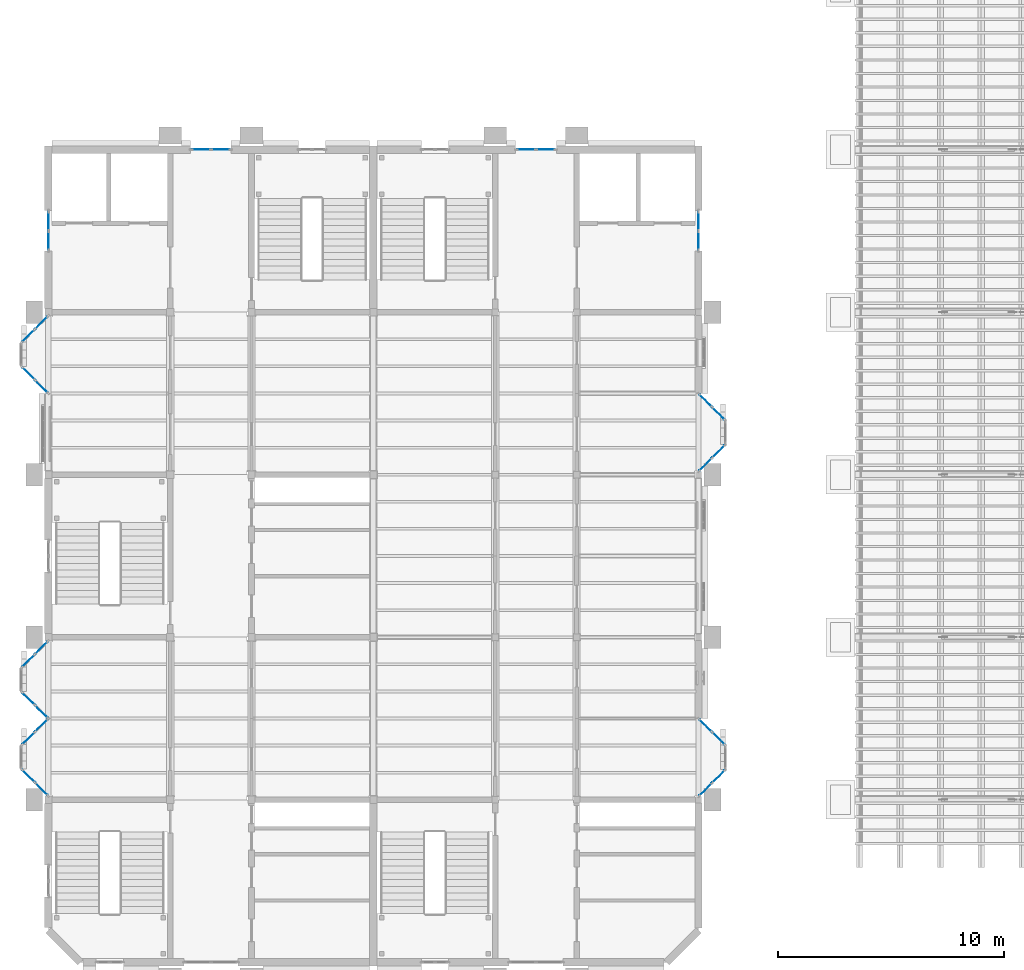
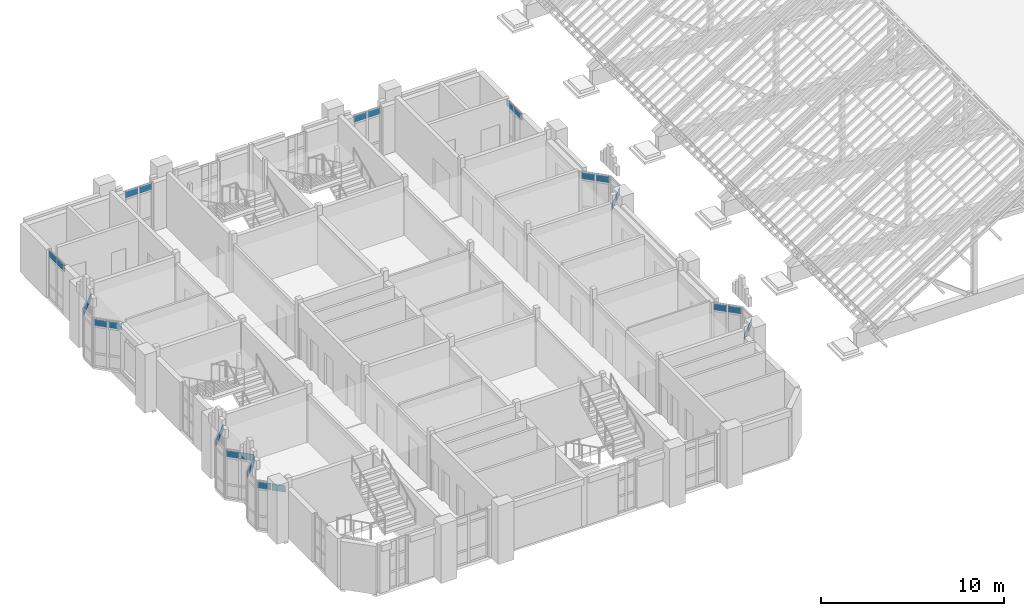
# One storey, part 38 of 71: 28 plates, 14 elements without a shape of their own.
"""IFC4 building model written with IfcOpenShell, lengths in metres."""

from ifc_helpers import new_model, si_unit, direction, frame, origin, origin_2d, place, context, subcontext, project, spatial, rectangle, extrude, material, layer, layer_set, type_object, element, aggregate, save


model = new_model("IFC4")

# Units and contexts
model_context = context("Model", 3, precision=1e-05, world=origin(), true_north=direction((0.0, 1.0)))
body_context = subcontext(model_context, "Body", "Model", "MODEL_VIEW")
ifc_project = project(units=[si_unit("LENGTHUNIT", "METRE"), si_unit("AREAUNIT", "SQUARE_METRE"), si_unit("VOLUMEUNIT", "CUBIC_METRE"), si_unit("PLANEANGLEUNIT", "RADIAN"), si_unit("MASSUNIT", "GRAM", prefix="KILO")], contexts=[model_context])

# Site, building, storey
site_placement = place(None, origin())
site = spatial("IfcSite", under=ifc_project, at=site_placement, CompositionType="ELEMENT")
building_placement = place(site_placement, origin())
building = spatial("IfcBuilding", under=site, at=building_placement, Name="Mazhai Court Health Centre", CompositionType="ELEMENT")
storey_placement = place(building_placement, frame((0.0, 0.0, 10.199951171875)))
storey = spatial("IfcBuildingStorey", under=building, at=storey_placement, Name="L02", CompositionType="ELEMENT", Elevation=10.199951171875)

# Curtain wall, plates
ifc_material_1 = material(Name="Teak timber frame, glazed", Category="wood")
ifc_layer_1 = layer(ifc_material_1, 0.10009765625)
ifc_layer_set_1 = layer_set([ifc_layer_1], Name="CURTAIN WALL TIMBER 900")
curtain_wall_type = type_object("IfcCurtainWallType", Name="CURTAIN WALL TIMBER 900", PredefinedType="NOTDEFINED", material=ifc_layer_set_1)
curtain_wall_1_placement = place(storey_placement, origin())
curtain_wall_1 = element("IfcCurtainWall", 1, at=curtain_wall_1_placement, inside=storey, type_object=curtain_wall_type, Name="CW-ORIEL-V2-L02-A10-0", PredefinedType="NOTDEFINED")
ifc_material_2 = material(Name="Glass IGU 28 mm", Category="glass")
ifc_layer_2 = layer(ifc_material_2, 0.028076171875)
ifc_layer_set_2 = layer_set([ifc_layer_2], Name="CW PANEL IGU 28")
plate_type = type_object("IfcPlateType", Name="CW PANEL IGU 28", PredefinedType="CURTAIN_PANEL", material=ifc_layer_set_2)
plate_1_placement = place(storey_placement, frame((5.889404296875, 13.87060546875, 2.72998046875), z_axis=(0.0, 0.0, 1.0), x_axis=(-0.707106781187, 0.707106781187, 0.0)))
plate_1 = element("IfcPlate", 2, at=plate_1_placement, type_object=plate_type, Name="CW panel 1.3", PredefinedType="CURTAIN_PANEL", context=body_context, shape_type="SweptSolid", body=[
    extrude(rectangle(XDim=0.758544921875, YDim=0.028076171875, at=origin_2d()), origin(), (0.0, 0.0, 1.0), 0.429931640625),
])
plate_2_placement = place(storey_placement, frame((5.310546875, 14.449462890625, 2.72998046875), z_axis=(0.0, 0.0, 1.0), x_axis=(-0.707106781187, 0.707106781187, 0.0)))
plate_2 = element("IfcPlate", 3, at=plate_2_placement, type_object=plate_type, Name="CW panel 2.3", PredefinedType="CURTAIN_PANEL", context=body_context, shape_type="SweptSolid", body=[
    extrude(rectangle(XDim=0.758544921875, YDim=0.028076171875, at=origin_2d()), origin(), (0.0, 0.0, 1.0), 0.429931640625),
])
aggregate(curtain_wall_1, [plate_1, plate_2])

curtain_wall_2_placement = place(storey_placement, origin())
curtain_wall_2 = element("IfcCurtainWall", 4, at=curtain_wall_2_placement, inside=storey, type_object=curtain_wall_type, Name="CW-ORIEL-V2-L02-A10-2", PredefinedType="NOTDEFINED")
plate_3_placement = place(storey_placement, frame((5.310546875, 16.110595703125, 2.72998046875), z_axis=(0.0, 0.0, 1.0), x_axis=(0.707106781187, 0.707106781187, 0.0)))
plate_3 = element("IfcPlate", 5, at=plate_3_placement, type_object=plate_type, Name="CW panel 1.3", PredefinedType="CURTAIN_PANEL", context=body_context, shape_type="SweptSolid", body=[
    extrude(rectangle(XDim=0.758544921875, YDim=0.028076171875, at=origin_2d()), origin(), (0.0, 0.0, 1.0), 0.429931640625),
])
plate_4_placement = place(storey_placement, frame((5.889404296875, 16.689453125, 2.72998046875), z_axis=(0.0, 0.0, 1.0), x_axis=(0.707106781187, 0.707106781187, 0.0)))
plate_4 = element("IfcPlate", 6, at=plate_4_placement, type_object=plate_type, Name="CW panel 2.3", PredefinedType="CURTAIN_PANEL", context=body_context, shape_type="SweptSolid", body=[
    extrude(rectangle(XDim=0.758544921875, YDim=0.028076171875, at=origin_2d()), origin(), (0.0, 0.0, 1.0), 0.429931640625),
])
aggregate(curtain_wall_2, [plate_3, plate_4])

curtain_wall_3_placement = place(storey_placement, origin())
curtain_wall_3 = element("IfcCurtainWall", 7, at=curtain_wall_3_placement, inside=storey, type_object=curtain_wall_type, Name="CW-ORIEL-V2-L02-A11-0", PredefinedType="NOTDEFINED")
plate_5_placement = place(storey_placement, frame((5.889404296875, 17.310546875, 2.72998046875), z_axis=(0.0, 0.0, 1.0), x_axis=(-0.707106781187, 0.707106781187, 0.0)))
plate_5 = element("IfcPlate", 8, at=plate_5_placement, type_object=plate_type, Name="CW panel 1.3", PredefinedType="CURTAIN_PANEL", context=body_context, shape_type="SweptSolid", body=[
    extrude(rectangle(XDim=0.758544921875, YDim=0.028076171875, at=origin_2d()), origin(), (0.0, 0.0, 1.0), 0.429931640625),
])
plate_6_placement = place(storey_placement, frame((5.310546875, 17.889404296875, 2.72998046875), z_axis=(0.0, 0.0, 1.0), x_axis=(-0.707106781187, 0.707106781187, 0.0)))
plate_6 = element("IfcPlate", 9, at=plate_6_placement, type_object=plate_type, Name="CW panel 2.3", PredefinedType="CURTAIN_PANEL", context=body_context, shape_type="SweptSolid", body=[
    extrude(rectangle(XDim=0.758544921875, YDim=0.028076171875, at=origin_2d()), origin(), (0.0, 0.0, 1.0), 0.429931640625),
])
aggregate(curtain_wall_3, [plate_5, plate_6])

curtain_wall_4_placement = place(storey_placement, origin())
curtain_wall_4 = element("IfcCurtainWall", 10, at=curtain_wall_4_placement, inside=storey, type_object=curtain_wall_type, Name="CW-ORIEL-V2-L02-A11-2", PredefinedType="NOTDEFINED")
plate_7_placement = place(storey_placement, frame((5.310546875, 19.550537109375, 2.72998046875), z_axis=(0.0, 0.0, 1.0), x_axis=(0.707106781187, 0.707106781187, 0.0)))
plate_7 = element("IfcPlate", 11, at=plate_7_placement, type_object=plate_type, Name="CW panel 1.3", PredefinedType="CURTAIN_PANEL", context=body_context, shape_type="SweptSolid", body=[
    extrude(rectangle(XDim=0.758544921875, YDim=0.028076171875, at=origin_2d()), origin(), (0.0, 0.0, 1.0), 0.429931640625),
])
plate_8_placement = place(storey_placement, frame((5.889404296875, 20.12939453125, 2.72998046875), z_axis=(0.0, 0.0, 1.0), x_axis=(0.707106781187, 0.707106781187, 0.0)))
plate_8 = element("IfcPlate", 12, at=plate_8_placement, type_object=plate_type, Name="CW panel 2.3", PredefinedType="CURTAIN_PANEL", context=body_context, shape_type="SweptSolid", body=[
    extrude(rectangle(XDim=0.758544921875, YDim=0.028076171875, at=origin_2d()), origin(), (0.0, 0.0, 1.0), 0.429931640625),
])
aggregate(curtain_wall_4, [plate_7, plate_8])

curtain_wall_5_placement = place(storey_placement, origin())
curtain_wall_5 = element("IfcCurtainWall", 13, at=curtain_wall_5_placement, inside=storey, type_object=curtain_wall_type, Name="CW-ORIEL-V2-L02-A31-0", PredefinedType="NOTDEFINED")
plate_9_placement = place(storey_placement, frame((5.889404296875, 31.710693359375, 2.72998046875), z_axis=(0.0, 0.0, 1.0), x_axis=(-0.707106781187, 0.707106781187, 0.0)))
plate_9 = element("IfcPlate", 14, at=plate_9_placement, type_object=plate_type, Name="CW panel 1.3", PredefinedType="CURTAIN_PANEL", context=body_context, shape_type="SweptSolid", body=[
    extrude(rectangle(XDim=0.758544921875, YDim=0.028076171875, at=origin_2d()), origin(), (0.0, 0.0, 1.0), 0.429931640625),
])
plate_10_placement = place(storey_placement, frame((5.310546875, 32.289306640625, 2.72998046875), z_axis=(0.0, 0.0, 1.0), x_axis=(-0.707106781187, 0.707106781187, 0.0)))
plate_10 = element("IfcPlate", 15, at=plate_10_placement, type_object=plate_type, Name="CW panel 2.3", PredefinedType="CURTAIN_PANEL", context=body_context, shape_type="SweptSolid", body=[
    extrude(rectangle(XDim=0.758544921875, YDim=0.028076171875, at=origin_2d()), origin(), (0.0, 0.0, 1.0), 0.429931640625),
])
aggregate(curtain_wall_5, [plate_9, plate_10])

curtain_wall_6_placement = place(storey_placement, origin())
curtain_wall_6 = element("IfcCurtainWall", 16, at=curtain_wall_6_placement, inside=storey, type_object=curtain_wall_type, Name="CW-ORIEL-V2-L02-A31-2", PredefinedType="NOTDEFINED")
plate_11_placement = place(storey_placement, frame((5.310546875, 33.95068359375, 2.72998046875), z_axis=(0.0, 0.0, 1.0), x_axis=(0.707106781187, 0.707106781187, 0.0)))
plate_11 = element("IfcPlate", 17, at=plate_11_placement, type_object=plate_type, Name="CW panel 1.3", PredefinedType="CURTAIN_PANEL", context=body_context, shape_type="SweptSolid", body=[
    extrude(rectangle(XDim=0.758544921875, YDim=0.028076171875, at=origin_2d()), origin(), (0.0, 0.0, 1.0), 0.429931640625),
])
plate_12_placement = place(storey_placement, frame((5.889404296875, 34.529296875, 2.72998046875), z_axis=(0.0, 0.0, 1.0), x_axis=(0.707106781187, 0.707106781187, 0.0)))
plate_12 = element("IfcPlate", 18, at=plate_12_placement, type_object=plate_type, Name="CW panel 2.3", PredefinedType="CURTAIN_PANEL", context=body_context, shape_type="SweptSolid", body=[
    extrude(rectangle(XDim=0.758544921875, YDim=0.028076171875, at=origin_2d()), origin(), (0.0, 0.0, 1.0), 0.429931640625),
])
aggregate(curtain_wall_6, [plate_11, plate_12])

curtain_wall_7_placement = place(storey_placement, origin())
curtain_wall_7 = element("IfcCurtainWall", 19, at=curtain_wall_7_placement, inside=storey, type_object=curtain_wall_type, Name="CW-V2-L02-A4", PredefinedType="NOTDEFINED")
plate_13_placement = place(storey_placement, frame((6.199951171875, 38.1650390625, 2.72998046875), z_axis=(0.0, 0.0, 1.0), x_axis=(0.0, 1.0, 0.0)))
plate_13 = element("IfcPlate", 20, at=plate_13_placement, type_object=plate_type, Name="CW panel 1.3", PredefinedType="CURTAIN_PANEL", context=body_context, shape_type="SweptSolid", body=[
    extrude(rectangle(XDim=0.81005859375, YDim=0.028076171875, at=origin_2d()), origin(), (0.0, 0.0, 1.0), 0.429931640625),
])
plate_14_placement = place(storey_placement, frame((6.199951171875, 39.034912109375, 2.72998046875), z_axis=(0.0, 0.0, 1.0), x_axis=(0.0, 1.0, 0.0)))
plate_14 = element("IfcPlate", 21, at=plate_14_placement, type_object=plate_type, Name="CW panel 2.3", PredefinedType="CURTAIN_PANEL", context=body_context, shape_type="SweptSolid", body=[
    extrude(rectangle(XDim=0.81005859375, YDim=0.028076171875, at=origin_2d()), origin(), (0.0, 0.0, 1.0), 0.429931640625),
])
aggregate(curtain_wall_7, [plate_13, plate_14])

curtain_wall_8_placement = place(storey_placement, origin())
curtain_wall_8 = element("IfcCurtainWall", 22, at=curtain_wall_8_placement, inside=storey, type_object=curtain_wall_type, Name="CW-V2-L02-ELIFT0", PredefinedType="NOTDEFINED")
plate_15_placement = place(storey_placement, frame((12.965087890625, 42.199951171875, 2.72998046875), z_axis=(0.0, 0.0, 1.0), x_axis=(1.0, 0.0, 0.0)))
plate_15 = element("IfcPlate", 23, at=plate_15_placement, type_object=plate_type, Name="CW panel 1.3", PredefinedType="CURTAIN_PANEL", context=body_context, shape_type="SweptSolid", body=[
    extrude(rectangle(XDim=0.81005859375, YDim=0.028076171875, at=origin_2d()), origin(), (0.0, 0.0, 1.0), 0.409912109375),
])
plate_16_placement = place(storey_placement, frame((13.8349609375, 42.199951171875, 2.72998046875), z_axis=(0.0, 0.0, 1.0), x_axis=(1.0, 0.0, 0.0)))
plate_16 = element("IfcPlate", 24, at=plate_16_placement, type_object=plate_type, Name="CW panel 2.3", PredefinedType="CURTAIN_PANEL", context=body_context, shape_type="SweptSolid", body=[
    extrude(rectangle(XDim=0.81005859375, YDim=0.028076171875, at=origin_2d()), origin(), (0.0, 0.0, 1.0), 0.409912109375),
])
aggregate(curtain_wall_8, [plate_15, plate_16])

curtain_wall_9_placement = place(storey_placement, origin())
curtain_wall_9 = element("IfcCurtainWall", 25, at=curtain_wall_9_placement, inside=storey, type_object=curtain_wall_type, Name="CW-ORIEL-V5-L02-B10-0", PredefinedType="NOTDEFINED")
plate_17_placement = place(storey_placement, frame((35.310546875, 13.8505859375, 2.72998046875), z_axis=(0.0, 0.0, 1.0), x_axis=(0.707106781187, 0.707106781187, 0.0)))
plate_17 = element("IfcPlate", 26, at=plate_17_placement, type_object=plate_type, Name="CW panel 1.3", PredefinedType="CURTAIN_PANEL", context=body_context, shape_type="SweptSolid", body=[
    extrude(rectangle(XDim=0.758544921875, YDim=0.028076171875, at=origin_2d()), origin(), (0.0, 0.0, 1.0), 0.429931640625),
])
plate_18_placement = place(storey_placement, frame((35.889404296875, 14.429443359375, 2.72998046875), z_axis=(0.0, 0.0, 1.0), x_axis=(0.707106781187, 0.707106781187, 0.0)))
plate_18 = element("IfcPlate", 27, at=plate_18_placement, type_object=plate_type, Name="CW panel 2.3", PredefinedType="CURTAIN_PANEL", context=body_context, shape_type="SweptSolid", body=[
    extrude(rectangle(XDim=0.758544921875, YDim=0.028076171875, at=origin_2d()), origin(), (0.0, 0.0, 1.0), 0.429931640625),
])
aggregate(curtain_wall_9, [plate_17, plate_18])

curtain_wall_10_placement = place(storey_placement, origin())
curtain_wall_10 = element("IfcCurtainWall", 28, at=curtain_wall_10_placement, inside=storey, type_object=curtain_wall_type, Name="CW-ORIEL-V5-L02-B10-2", PredefinedType="NOTDEFINED")
plate_19_placement = place(storey_placement, frame((35.889404296875, 16.110595703125, 2.72998046875), z_axis=(0.0, 0.0, 1.0), x_axis=(-0.707106781187, 0.707106781187, 0.0)))
plate_19 = element("IfcPlate", 29, at=plate_19_placement, type_object=plate_type, Name="CW panel 1.3", PredefinedType="CURTAIN_PANEL", context=body_context, shape_type="SweptSolid", body=[
    extrude(rectangle(XDim=0.758544921875, YDim=0.028076171875, at=origin_2d()), origin(), (0.0, 0.0, 1.0), 0.429931640625),
])
plate_20_placement = place(storey_placement, frame((35.310546875, 16.689453125, 2.72998046875), z_axis=(0.0, 0.0, 1.0), x_axis=(-0.707106781187, 0.707106781187, 0.0)))
plate_20 = element("IfcPlate", 30, at=plate_20_placement, type_object=plate_type, Name="CW panel 2.3", PredefinedType="CURTAIN_PANEL", context=body_context, shape_type="SweptSolid", body=[
    extrude(rectangle(XDim=0.758544921875, YDim=0.028076171875, at=origin_2d()), origin(), (0.0, 0.0, 1.0), 0.429931640625),
])
aggregate(curtain_wall_10, [plate_19, plate_20])

curtain_wall_11_placement = place(storey_placement, origin())
curtain_wall_11 = element("IfcCurtainWall", 31, at=curtain_wall_11_placement, inside=storey, type_object=curtain_wall_type, Name="CW-ORIEL-V5-L02-B30-0", PredefinedType="NOTDEFINED")
plate_21_placement = place(storey_placement, frame((35.310546875, 28.25048828125, 2.72998046875), z_axis=(0.0, 0.0, 1.0), x_axis=(0.707106781187, 0.707106781187, 0.0)))
plate_21 = element("IfcPlate", 32, at=plate_21_placement, type_object=plate_type, Name="CW panel 1.3", PredefinedType="CURTAIN_PANEL", context=body_context, shape_type="SweptSolid", body=[
    extrude(rectangle(XDim=0.758544921875, YDim=0.028076171875, at=origin_2d()), origin(), (0.0, 0.0, 1.0), 0.429931640625),
])
plate_22_placement = place(storey_placement, frame((35.889404296875, 28.829345703125, 2.72998046875), z_axis=(0.0, 0.0, 1.0), x_axis=(0.707106781187, 0.707106781187, 0.0)))
plate_22 = element("IfcPlate", 33, at=plate_22_placement, type_object=plate_type, Name="CW panel 2.3", PredefinedType="CURTAIN_PANEL", context=body_context, shape_type="SweptSolid", body=[
    extrude(rectangle(XDim=0.758544921875, YDim=0.028076171875, at=origin_2d()), origin(), (0.0, 0.0, 1.0), 0.429931640625),
])
aggregate(curtain_wall_11, [plate_21, plate_22])

curtain_wall_12_placement = place(storey_placement, origin())
curtain_wall_12 = element("IfcCurtainWall", 34, at=curtain_wall_12_placement, inside=storey, type_object=curtain_wall_type, Name="CW-ORIEL-V5-L02-B30-2", PredefinedType="NOTDEFINED")
plate_23_placement = place(storey_placement, frame((35.889404296875, 30.510498046875, 2.72998046875), z_axis=(0.0, 0.0, 1.0), x_axis=(-0.707106781187, 0.707106781187, 0.0)))
plate_23 = element("IfcPlate", 35, at=plate_23_placement, type_object=plate_type, Name="CW panel 1.3", PredefinedType="CURTAIN_PANEL", context=body_context, shape_type="SweptSolid", body=[
    extrude(rectangle(XDim=0.758544921875, YDim=0.028076171875, at=origin_2d()), origin(), (0.0, 0.0, 1.0), 0.429931640625),
])
plate_24_placement = place(storey_placement, frame((35.310546875, 31.08935546875, 2.72998046875), z_axis=(0.0, 0.0, 1.0), x_axis=(-0.707106781187, 0.707106781187, 0.0)))
plate_24 = element("IfcPlate", 36, at=plate_24_placement, type_object=plate_type, Name="CW panel 2.3", PredefinedType="CURTAIN_PANEL", context=body_context, shape_type="SweptSolid", body=[
    extrude(rectangle(XDim=0.758544921875, YDim=0.028076171875, at=origin_2d()), origin(), (0.0, 0.0, 1.0), 0.429931640625),
])
aggregate(curtain_wall_12, [plate_23, plate_24])

curtain_wall_13_placement = place(storey_placement, origin())
curtain_wall_13 = element("IfcCurtainWall", 37, at=curtain_wall_13_placement, inside=storey, type_object=curtain_wall_type, Name="CW-V5-L02-B4", PredefinedType="NOTDEFINED")
plate_25_placement = place(storey_placement, frame((35.0, 39.034912109375, 2.72998046875), z_axis=(0.0, 0.0, 1.0), x_axis=(0.0, -1.0, 0.0)))
plate_25 = element("IfcPlate", 38, at=plate_25_placement, type_object=plate_type, Name="CW panel 1.3", PredefinedType="CURTAIN_PANEL", context=body_context, shape_type="SweptSolid", body=[
    extrude(rectangle(XDim=0.81005859375, YDim=0.028076171875, at=origin_2d()), origin(), (0.0, 0.0, 1.0), 0.429931640625),
])
plate_26_placement = place(storey_placement, frame((35.0, 38.1650390625, 2.72998046875), z_axis=(0.0, 0.0, 1.0), x_axis=(0.0, -1.0, 0.0)))
plate_26 = element("IfcPlate", 39, at=plate_26_placement, type_object=plate_type, Name="CW panel 2.3", PredefinedType="CURTAIN_PANEL", context=body_context, shape_type="SweptSolid", body=[
    extrude(rectangle(XDim=0.81005859375, YDim=0.028076171875, at=origin_2d()), origin(), (0.0, 0.0, 1.0), 0.429931640625),
])
aggregate(curtain_wall_13, [plate_25, plate_26])

curtain_wall_14_placement = place(storey_placement, origin())
curtain_wall_14 = element("IfcCurtainWall", 40, at=curtain_wall_14_placement, inside=storey, type_object=curtain_wall_type, Name="CW-V5-L02-ELIFT1", PredefinedType="NOTDEFINED")
plate_27_placement = place(storey_placement, frame((27.364990234375, 42.199951171875, 2.72998046875), z_axis=(0.0, 0.0, 1.0), x_axis=(1.0, 0.0, 0.0)))
plate_27 = element("IfcPlate", 41, at=plate_27_placement, type_object=plate_type, Name="CW panel 1.3", PredefinedType="CURTAIN_PANEL", context=body_context, shape_type="SweptSolid", body=[
    extrude(rectangle(XDim=0.81005859375, YDim=0.028076171875, at=origin_2d()), origin(), (0.0, 0.0, 1.0), 0.409912109375),
])
plate_28_placement = place(storey_placement, frame((28.235107421875, 42.199951171875, 2.72998046875), z_axis=(0.0, 0.0, 1.0), x_axis=(1.0, 0.0, 0.0)))
plate_28 = element("IfcPlate", 42, at=plate_28_placement, type_object=plate_type, Name="CW panel 2.3", PredefinedType="CURTAIN_PANEL", context=body_context, shape_type="SweptSolid", body=[
    extrude(rectangle(XDim=0.81005859375, YDim=0.028076171875, at=origin_2d()), origin(), (0.0, 0.0, 1.0), 0.409912109375),
])
aggregate(curtain_wall_14, [plate_27, plate_28])

save(model, "model.ifc")
